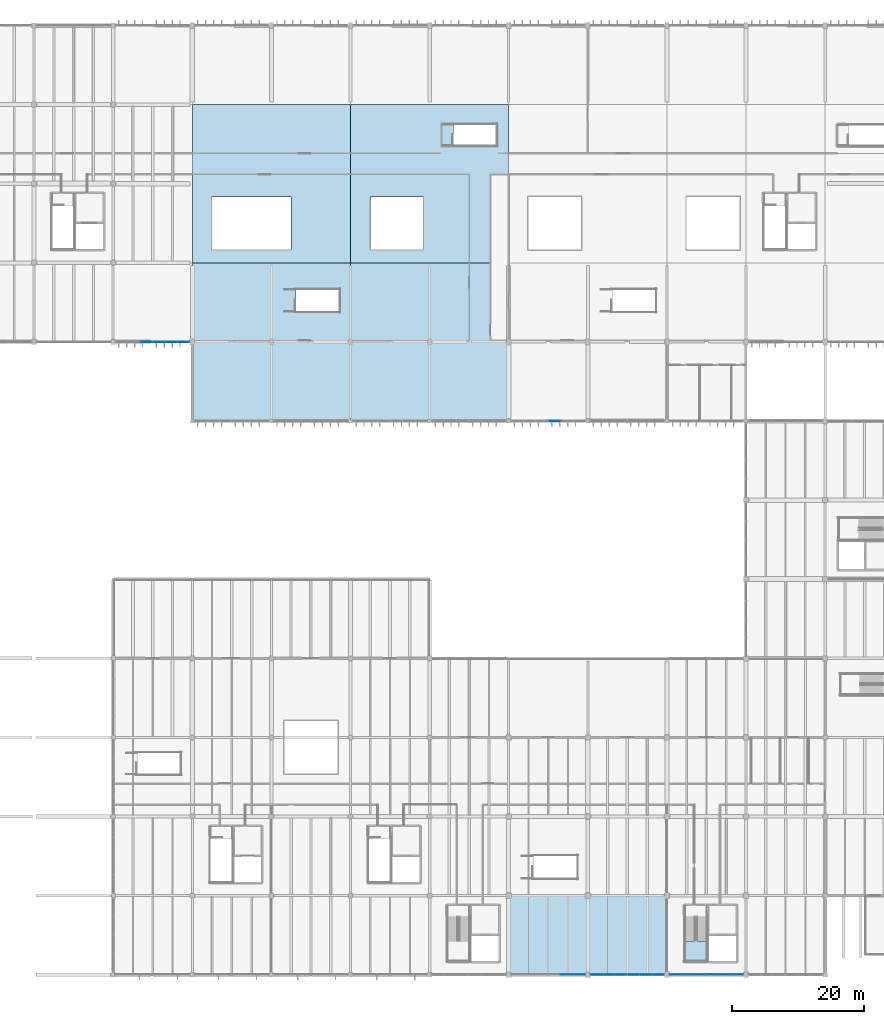
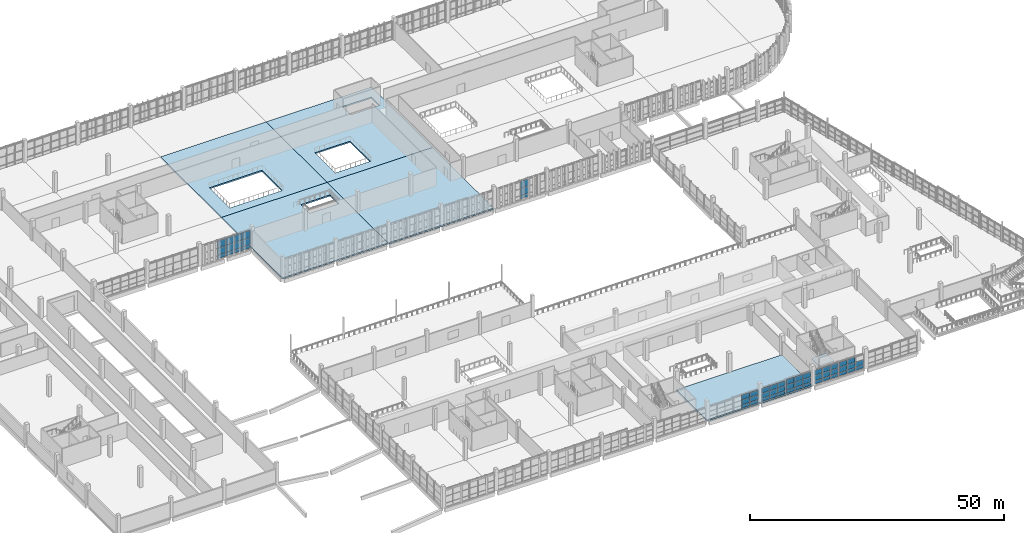
# One storey, part 63 of 112: 56 plates, 6 slabs, 9 elements without a shape of their own.
"""IFC4 building model written with IfcOpenShell, lengths in metres."""

from ifc_helpers import new_model, si_unit, direction, frame, origin, origin_2d, place, context, subcontext, project, spatial, polyline, rectangle, outline, extrude, material, layer, layer_set, type_object, element, aggregate, save


model = new_model("IFC4")

# Units and contexts
model_context = context("Model", 3, precision=1e-05, world=origin(), true_north=direction((0.0, 1.0)))
body_context = subcontext(model_context, "Body", "Model", "MODEL_VIEW")
ifc_project = project(units=[si_unit("LENGTHUNIT", "METRE"), si_unit("AREAUNIT", "SQUARE_METRE"), si_unit("VOLUMEUNIT", "CUBIC_METRE"), si_unit("PLANEANGLEUNIT", "RADIAN"), si_unit("MASSUNIT", "GRAM", prefix="KILO")], contexts=[model_context])

# Site, building, storey
site_placement = place(None, origin())
site = spatial("IfcSite", under=ifc_project, at=site_placement, CompositionType="ELEMENT")
building_placement = place(site_placement, origin())
building = spatial("IfcBuilding", under=site, at=building_placement, Name="Kamomehara Wholesale Market", CompositionType="ELEMENT")
storey_placement = place(building_placement, frame((0.0, 0.0, 6.60009765625)))
storey = spatial("IfcBuildingStorey", under=building, at=storey_placement, Name="L01", CompositionType="ELEMENT", Elevation=6.60009765625)

# Curtain wall, plates
ifc_material_1 = material(Name="Anodised aluminium 6063-T5", Category="aluminium")
curtain_wall_type_1 = type_object("IfcCurtainWallType", Name="CW-UN-02", PredefinedType="NOTDEFINED", material=ifc_material_1)
curtain_wall_1_placement = place(storey_placement, origin())
curtain_wall_1 = element("IfcCurtainWall", 1, at=curtain_wall_1_placement, inside=storey, type_object=curtain_wall_type_1, Name="Unitised curtain wall CW-059", PredefinedType="NOTDEFINED")
ifc_material_2 = material(Name="Solar-control Low-E double glazing", Category="glass")
ifc_layer_1 = layer(ifc_material_2, 0.028076171875)
ifc_layer_set_1 = layer_set([ifc_layer_1], Name="Solar-control Low-E double glazing")
plate_type_1 = type_object("IfcPlateType", Name="CW-PNL-GLZ", PredefinedType="CURTAIN_PANEL", material=ifc_layer_set_1)
plate_1_placement = place(storey_placement, frame((70.6220703125, 107.97998046875, 0.930419921875), z_axis=(0.0, 0.0, 1.0), x_axis=(-1.0, 0.0, 0.0)))
plate_1 = element("IfcPlate", 2, at=plate_1_placement, type_object=plate_type_1, Name="Curtain panel CW-059.0.1", PredefinedType="CURTAIN_PANEL", context=body_context, shape_type="SweptSolid", body=[
    extrude(rectangle(XDim=1.757080078125, YDim=0.028076171875, at=origin_2d()), origin(), (0.0, 0.0, 1.0), 1.705078125),
])
plate_2_placement = place(storey_placement, frame((70.6220703125, 107.97998046875, 2.6953125), z_axis=(0.0, 0.0, 1.0), x_axis=(-1.0, 0.0, 0.0)))
plate_2 = element("IfcPlate", 3, at=plate_2_placement, type_object=plate_type_1, Name="Curtain panel CW-059.0.2", PredefinedType="CURTAIN_PANEL", context=body_context, shape_type="SweptSolid", body=[
    extrude(rectangle(XDim=1.757080078125, YDim=0.028076171875, at=origin_2d()), origin(), (0.0, 0.0, 1.0), 1.6650390625),
])
plate_3_placement = place(storey_placement, frame((68.784912109375, 107.97998046875, 0.930419921875), z_axis=(0.0, 0.0, 1.0), x_axis=(-1.0, 0.0, 0.0)))
plate_3 = element("IfcPlate", 4, at=plate_3_placement, type_object=plate_type_1, Name="Curtain panel CW-059.1.1", PredefinedType="CURTAIN_PANEL", context=body_context, shape_type="SweptSolid", body=[
    extrude(rectangle(XDim=1.757080078125, YDim=0.028076171875, at=origin_2d()), origin(), (0.0, 0.0, 1.0), 1.705078125),
])
plate_4_placement = place(storey_placement, frame((68.784912109375, 107.97998046875, 2.6953125), z_axis=(0.0, 0.0, 1.0), x_axis=(-1.0, 0.0, 0.0)))
plate_4 = element("IfcPlate", 5, at=plate_4_placement, type_object=plate_type_1, Name="Curtain panel CW-059.1.2", PredefinedType="CURTAIN_PANEL", context=body_context, shape_type="SweptSolid", body=[
    extrude(rectangle(XDim=1.757080078125, YDim=0.028076171875, at=origin_2d()), origin(), (0.0, 0.0, 1.0), 1.6650390625),
])
plate_5_placement = place(storey_placement, frame((66.947998046875, 107.97998046875, 0.930419921875), z_axis=(0.0, 0.0, 1.0), x_axis=(-1.0, 0.0, 0.0)))
plate_5 = element("IfcPlate", 6, at=plate_5_placement, type_object=plate_type_1, Name="Curtain panel CW-059.2.1", PredefinedType="CURTAIN_PANEL", context=body_context, shape_type="SweptSolid", body=[
    extrude(rectangle(XDim=1.757080078125, YDim=0.028076171875, at=origin_2d()), origin(), (0.0, 0.0, 1.0), 1.705078125),
])
plate_6_placement = place(storey_placement, frame((66.947998046875, 107.97998046875, 2.6953125), z_axis=(0.0, 0.0, 1.0), x_axis=(-1.0, 0.0, 0.0)))
plate_6 = element("IfcPlate", 7, at=plate_6_placement, type_object=plate_type_1, Name="Curtain panel CW-059.2.2", PredefinedType="CURTAIN_PANEL", context=body_context, shape_type="SweptSolid", body=[
    extrude(rectangle(XDim=1.757080078125, YDim=0.028076171875, at=origin_2d()), origin(), (0.0, 0.0, 1.0), 1.6650390625),
])

curtain_wall_2_placement = place(storey_placement, origin())
curtain_wall_2 = element("IfcCurtainWall", 8, at=curtain_wall_2_placement, inside=storey, type_object=curtain_wall_type_1, Name="Unitised curtain wall CW-060", PredefinedType="NOTDEFINED")
plate_7_placement = place(storey_placement, frame((65.037109375, 107.97998046875, 0.930419921875), z_axis=(0.0, 0.0, 1.0), x_axis=(-1.0, 0.0, 0.0)))
plate_7 = element("IfcPlate", 9, at=plate_7_placement, type_object=plate_type_1, Name="Curtain panel CW-060.0.1", PredefinedType="CURTAIN_PANEL", context=body_context, shape_type="SweptSolid", body=[
    extrude(rectangle(XDim=1.787109375, YDim=0.028076171875, at=origin_2d()), origin(), (0.0, 0.0, 1.0), 1.705078125),
])
plate_8_placement = place(storey_placement, frame((65.037109375, 107.97998046875, 2.6953125), z_axis=(0.0, 0.0, 1.0), x_axis=(-1.0, 0.0, 0.0)))
plate_8 = element("IfcPlate", 10, at=plate_8_placement, type_object=plate_type_1, Name="Curtain panel CW-060.0.2", PredefinedType="CURTAIN_PANEL", context=body_context, shape_type="SweptSolid", body=[
    extrude(rectangle(XDim=1.787109375, YDim=0.028076171875, at=origin_2d()), origin(), (0.0, 0.0, 1.0), 1.6650390625),
])

curtain_wall_3_placement = place(storey_placement, origin())
curtain_wall_3 = element("IfcCurtainWall", 11, at=curtain_wall_3_placement, inside=storey, type_object=curtain_wall_type_1, Name="Unitised curtain wall CW-079", PredefinedType="NOTDEFINED")
plate_9_placement = place(storey_placement, frame((126.967041015625, 95.97998046875, 0.93017578125), z_axis=(0.0, 0.0, 1.0), x_axis=(-1.0, 0.0, 0.0)))
plate_9 = element("IfcPlate", 12, at=plate_9_placement, type_object=plate_type_1, Name="Curtain panel CW-079.2.1", PredefinedType="CURTAIN_PANEL", context=body_context, shape_type="SweptSolid", body=[
    extrude(rectangle(XDim=1.79296875, YDim=0.028076171875, at=origin_2d()), origin(), (0.0, 0.0, 1.0), 1.679931640625),
])
plate_10_placement = place(storey_placement, frame((126.967041015625, 95.97998046875, 2.669921875), z_axis=(0.0, 0.0, 1.0), x_axis=(-1.0, 0.0, 0.0)))
plate_10 = element("IfcPlate", 13, at=plate_10_placement, type_object=plate_type_1, Name="Curtain panel CW-079.2.2", PredefinedType="CURTAIN_PANEL", context=body_context, shape_type="SweptSolid", body=[
    extrude(rectangle(XDim=1.79296875, YDim=0.028076171875, at=origin_2d()), origin(), (0.0, 0.0, 1.0), 1.639892578125),
])

ifc_material_3 = material(Name="Anodised aluminium 6063-T5", Category="aluminium")
curtain_wall_type_2 = type_object("IfcCurtainWallType", Name="CW-UN-01", PredefinedType="NOTDEFINED", material=ifc_material_3)
curtain_wall_4_placement = place(storey_placement, origin())
curtain_wall_4 = element("IfcCurtainWall", 14, at=curtain_wall_4_placement, inside=storey, type_object=curtain_wall_type_2, Name="Unitised curtain wall CW-135", PredefinedType="NOTDEFINED")
plate_11_placement = place(storey_placement, frame((130.657958984375, 11.97998046875, 0.88037109375), z_axis=(0.0, 0.0, 1.0), x_axis=(-1.0, 0.0, 0.0)))
plate_11 = element("IfcPlate", 15, at=plate_11_placement, type_object=plate_type_1, Name="Curtain panel CW-135.0.1", PredefinedType="CURTAIN_PANEL", context=body_context, shape_type="SweptSolid", body=[
    extrude(rectangle(XDim=1.782958984375, YDim=0.028076171875, at=origin_2d()), origin(), (0.0, 0.0, 1.0), 1.14892578125),
])
plate_12_placement = place(storey_placement, frame((130.657958984375, 11.97998046875, 2.08935546875), z_axis=(0.0, 0.0, 1.0), x_axis=(-1.0, 0.0, 0.0)))
plate_12 = element("IfcPlate", 16, at=plate_12_placement, type_object=plate_type_1, Name="Curtain panel CW-135.0.2", PredefinedType="CURTAIN_PANEL", context=body_context, shape_type="SweptSolid", body=[
    extrude(rectangle(XDim=1.782958984375, YDim=0.028076171875, at=origin_2d()), origin(), (0.0, 0.0, 1.0), 1.10888671875),
])
plate_13_placement = place(storey_placement, frame((128.794921875, 11.97998046875, 0.88037109375), z_axis=(0.0, 0.0, 1.0), x_axis=(-1.0, 0.0, 0.0)))
plate_13 = element("IfcPlate", 17, at=plate_13_placement, type_object=plate_type_1, Name="Curtain panel CW-135.1.1", PredefinedType="CURTAIN_PANEL", context=body_context, shape_type="SweptSolid", body=[
    extrude(rectangle(XDim=1.782958984375, YDim=0.028076171875, at=origin_2d()), origin(), (0.0, 0.0, 1.0), 1.14892578125),
])
plate_14_placement = place(storey_placement, frame((128.794921875, 11.97998046875, 2.08935546875), z_axis=(0.0, 0.0, 1.0), x_axis=(-1.0, 0.0, 0.0)))
plate_14 = element("IfcPlate", 18, at=plate_14_placement, type_object=plate_type_1, Name="Curtain panel CW-135.1.2", PredefinedType="CURTAIN_PANEL", context=body_context, shape_type="SweptSolid", body=[
    extrude(rectangle(XDim=1.782958984375, YDim=0.028076171875, at=origin_2d()), origin(), (0.0, 0.0, 1.0), 1.10888671875),
])

curtain_wall_5_placement = place(storey_placement, origin())
curtain_wall_5 = element("IfcCurtainWall", 19, at=curtain_wall_5_placement, inside=storey, type_object=curtain_wall_type_2, Name="Unitised curtain wall CW-137", PredefinedType="NOTDEFINED")
plate_15_placement = place(storey_placement, frame((142.657958984375, 11.97998046875, 0.88037109375), z_axis=(0.0, 0.0, 1.0), x_axis=(-1.0, 0.0, 0.0)))
plate_15 = element("IfcPlate", 20, at=plate_15_placement, type_object=plate_type_1, Name="Curtain panel CW-137.0.1", PredefinedType="CURTAIN_PANEL", context=body_context, shape_type="SweptSolid", body=[
    extrude(rectangle(XDim=1.782958984375, YDim=0.028076171875, at=origin_2d()), origin(), (0.0, 0.0, 1.0), 1.239013671875),
])
plate_16_placement = place(storey_placement, frame((142.657958984375, 11.97998046875, 2.17822265625), z_axis=(0.0, 0.0, 1.0), x_axis=(-1.0, 0.0, 0.0)))
plate_16 = element("IfcPlate", 21, at=plate_16_placement, type_object=plate_type_1, Name="Curtain panel CW-137.0.2", PredefinedType="CURTAIN_PANEL", context=body_context, shape_type="SweptSolid", body=[
    extrude(rectangle(XDim=1.782958984375, YDim=0.028076171875, at=origin_2d()), origin(), (0.0, 0.0, 1.0), 1.198974609375),
])
plate_17_placement = place(storey_placement, frame((140.794921875, 11.97998046875, 0.88037109375), z_axis=(0.0, 0.0, 1.0), x_axis=(-1.0, 0.0, 0.0)))
plate_17 = element("IfcPlate", 22, at=plate_17_placement, type_object=plate_type_1, Name="Curtain panel CW-137.1.1", PredefinedType="CURTAIN_PANEL", context=body_context, shape_type="SweptSolid", body=[
    extrude(rectangle(XDim=1.782958984375, YDim=0.028076171875, at=origin_2d()), origin(), (0.0, 0.0, 1.0), 1.239013671875),
])
plate_18_placement = place(storey_placement, frame((140.794921875, 11.97998046875, 2.17822265625), z_axis=(0.0, 0.0, 1.0), x_axis=(-1.0, 0.0, 0.0)))
plate_18 = element("IfcPlate", 23, at=plate_18_placement, type_object=plate_type_1, Name="Curtain panel CW-137.1.2", PredefinedType="CURTAIN_PANEL", context=body_context, shape_type="SweptSolid", body=[
    extrude(rectangle(XDim=1.782958984375, YDim=0.028076171875, at=origin_2d()), origin(), (0.0, 0.0, 1.0), 1.198974609375),
])
plate_19_placement = place(storey_placement, frame((138.931884765625, 11.97998046875, 0.88037109375), z_axis=(0.0, 0.0, 1.0), x_axis=(-1.0, 0.0, 0.0)))
plate_19 = element("IfcPlate", 24, at=plate_19_placement, type_object=plate_type_1, Name="Curtain panel CW-137.2.1", PredefinedType="CURTAIN_PANEL", context=body_context, shape_type="SweptSolid", body=[
    extrude(rectangle(XDim=1.782958984375, YDim=0.028076171875, at=origin_2d()), origin(), (0.0, 0.0, 1.0), 1.239013671875),
])
plate_20_placement = place(storey_placement, frame((138.931884765625, 11.97998046875, 2.17822265625), z_axis=(0.0, 0.0, 1.0), x_axis=(-1.0, 0.0, 0.0)))
plate_20 = element("IfcPlate", 25, at=plate_20_placement, type_object=plate_type_1, Name="Curtain panel CW-137.2.2", PredefinedType="CURTAIN_PANEL", context=body_context, shape_type="SweptSolid", body=[
    extrude(rectangle(XDim=1.782958984375, YDim=0.028076171875, at=origin_2d()), origin(), (0.0, 0.0, 1.0), 1.198974609375),
])

curtain_wall_6_placement = place(storey_placement, origin())
curtain_wall_6 = element("IfcCurtainWall", 26, at=curtain_wall_6_placement, inside=storey, type_object=curtain_wall_type_2, Name="Unitised curtain wall CW-138", PredefinedType="NOTDEFINED")
plate_21_placement = place(storey_placement, frame((136.902099609375, 11.97998046875, 0.88037109375), z_axis=(0.0, 0.0, 1.0), x_axis=(-1.0, 0.0, 0.0)))
plate_21 = element("IfcPlate", 27, at=plate_21_placement, type_object=plate_type_1, Name="Curtain panel CW-138.0.1", PredefinedType="CURTAIN_PANEL", context=body_context, shape_type="SweptSolid", body=[
    extrude(rectangle(XDim=1.717041015625, YDim=0.028076171875, at=origin_2d()), origin(), (0.0, 0.0, 1.0), 1.14892578125),
])
plate_22_placement = place(storey_placement, frame((136.902099609375, 11.97998046875, 2.08935546875), z_axis=(0.0, 0.0, 1.0), x_axis=(-1.0, 0.0, 0.0)))
plate_22 = element("IfcPlate", 28, at=plate_22_placement, type_object=plate_type_1, Name="Curtain panel CW-138.0.2", PredefinedType="CURTAIN_PANEL", context=body_context, shape_type="SweptSolid", body=[
    extrude(rectangle(XDim=1.717041015625, YDim=0.028076171875, at=origin_2d()), origin(), (0.0, 0.0, 1.0), 1.10888671875),
])
plate_23_placement = place(storey_placement, frame((135.10498046875, 11.97998046875, 0.88037109375), z_axis=(0.0, 0.0, 1.0), x_axis=(-1.0, 0.0, 0.0)))
plate_23 = element("IfcPlate", 29, at=plate_23_placement, type_object=plate_type_1, Name="Curtain panel CW-138.1.1", PredefinedType="CURTAIN_PANEL", context=body_context, shape_type="SweptSolid", body=[
    extrude(rectangle(XDim=1.717041015625, YDim=0.028076171875, at=origin_2d()), origin(), (0.0, 0.0, 1.0), 1.14892578125),
])
plate_24_placement = place(storey_placement, frame((135.10498046875, 11.97998046875, 2.08935546875), z_axis=(0.0, 0.0, 1.0), x_axis=(-1.0, 0.0, 0.0)))
plate_24 = element("IfcPlate", 30, at=plate_24_placement, type_object=plate_type_1, Name="Curtain panel CW-138.1.2", PredefinedType="CURTAIN_PANEL", context=body_context, shape_type="SweptSolid", body=[
    extrude(rectangle(XDim=1.717041015625, YDim=0.028076171875, at=origin_2d()), origin(), (0.0, 0.0, 1.0), 1.10888671875),
])
plate_25_placement = place(storey_placement, frame((133.30810546875, 11.97998046875, 0.88037109375), z_axis=(0.0, 0.0, 1.0), x_axis=(-1.0, 0.0, 0.0)))
plate_25 = element("IfcPlate", 31, at=plate_25_placement, type_object=plate_type_1, Name="Curtain panel CW-138.2.1", PredefinedType="CURTAIN_PANEL", context=body_context, shape_type="SweptSolid", body=[
    extrude(rectangle(XDim=1.717041015625, YDim=0.028076171875, at=origin_2d()), origin(), (0.0, 0.0, 1.0), 1.14892578125),
])
plate_26_placement = place(storey_placement, frame((133.30810546875, 11.97998046875, 2.08935546875), z_axis=(0.0, 0.0, 1.0), x_axis=(-1.0, 0.0, 0.0)))
plate_26 = element("IfcPlate", 32, at=plate_26_placement, type_object=plate_type_1, Name="Curtain panel CW-138.2.2", PredefinedType="CURTAIN_PANEL", context=body_context, shape_type="SweptSolid", body=[
    extrude(rectangle(XDim=1.717041015625, YDim=0.028076171875, at=origin_2d()), origin(), (0.0, 0.0, 1.0), 1.10888671875),
])

curtain_wall_7_placement = place(storey_placement, origin())
curtain_wall_7 = element("IfcCurtainWall", 33, at=curtain_wall_7_placement, inside=storey, type_object=curtain_wall_type_2, Name="Unitised curtain wall CW-139", PredefinedType="NOTDEFINED")
plate_27_placement = place(storey_placement, frame((154.657958984375, 11.97998046875, 0.8798828125), z_axis=(0.0, 0.0, 1.0), x_axis=(-1.0, 0.0, 0.0)))
plate_27 = element("IfcPlate", 34, at=plate_27_placement, type_object=plate_type_1, Name="Curtain panel CW-139.0.1", PredefinedType="CURTAIN_PANEL", context=body_context, shape_type="SweptSolid", body=[
    extrude(rectangle(XDim=1.782958984375, YDim=0.028076171875, at=origin_2d()), origin(), (0.0, 0.0, 1.0), 1.23193359375),
])
plate_28_placement = place(storey_placement, frame((152.794921875, 11.97998046875, 0.8798828125), z_axis=(0.0, 0.0, 1.0), x_axis=(-1.0, 0.0, 0.0)))
plate_28 = element("IfcPlate", 35, at=plate_28_placement, type_object=plate_type_1, Name="Curtain panel CW-139.1.1", PredefinedType="CURTAIN_PANEL", context=body_context, shape_type="SweptSolid", body=[
    extrude(rectangle(XDim=1.782958984375, YDim=0.028076171875, at=origin_2d()), origin(), (0.0, 0.0, 1.0), 1.23193359375),
])
plate_29_placement = place(storey_placement, frame((152.794921875, 11.97998046875, 2.17138671875), z_axis=(0.0, 0.0, 1.0), x_axis=(-1.0, 0.0, 0.0)))
plate_29 = element("IfcPlate", 36, at=plate_29_placement, type_object=plate_type_1, Name="Curtain panel CW-139.1.2", PredefinedType="CURTAIN_PANEL", context=body_context, shape_type="SweptSolid", body=[
    extrude(rectangle(XDim=1.782958984375, YDim=0.028076171875, at=origin_2d()), origin(), (0.0, 0.0, 1.0), 1.19091796875),
])
plate_30_placement = place(storey_placement, frame((150.931884765625, 11.97998046875, 0.8798828125), z_axis=(0.0, 0.0, 1.0), x_axis=(-1.0, 0.0, 0.0)))
plate_30 = element("IfcPlate", 37, at=plate_30_placement, type_object=plate_type_1, Name="Curtain panel CW-139.2.1", PredefinedType="CURTAIN_PANEL", context=body_context, shape_type="SweptSolid", body=[
    extrude(rectangle(XDim=1.782958984375, YDim=0.028076171875, at=origin_2d()), origin(), (0.0, 0.0, 1.0), 1.23193359375),
])
plate_31_placement = place(storey_placement, frame((150.931884765625, 11.97998046875, 2.17138671875), z_axis=(0.0, 0.0, 1.0), x_axis=(-1.0, 0.0, 0.0)))
plate_31 = element("IfcPlate", 38, at=plate_31_placement, type_object=plate_type_1, Name="Curtain panel CW-139.2.2", PredefinedType="CURTAIN_PANEL", context=body_context, shape_type="SweptSolid", body=[
    extrude(rectangle(XDim=1.782958984375, YDim=0.028076171875, at=origin_2d()), origin(), (0.0, 0.0, 1.0), 1.19091796875),
])

curtain_wall_8_placement = place(storey_placement, origin())
curtain_wall_8 = element("IfcCurtainWall", 39, at=curtain_wall_8_placement, inside=storey, type_object=curtain_wall_type_2, Name="Unitised curtain wall CW-140", PredefinedType="NOTDEFINED")
plate_32_placement = place(storey_placement, frame((148.902099609375, 11.97998046875, 0.88037109375), z_axis=(0.0, 0.0, 1.0), x_axis=(-1.0, 0.0, 0.0)))
plate_32 = element("IfcPlate", 40, at=plate_32_placement, type_object=plate_type_1, Name="Curtain panel CW-140.0.1", PredefinedType="CURTAIN_PANEL", context=body_context, shape_type="SweptSolid", body=[
    extrude(rectangle(XDim=1.717041015625, YDim=0.028076171875, at=origin_2d()), origin(), (0.0, 0.0, 1.0), 1.239013671875),
])
plate_33_placement = place(storey_placement, frame((148.902099609375, 11.97998046875, 2.17822265625), z_axis=(0.0, 0.0, 1.0), x_axis=(-1.0, 0.0, 0.0)))
plate_33 = element("IfcPlate", 41, at=plate_33_placement, type_object=plate_type_1, Name="Curtain panel CW-140.0.2", PredefinedType="CURTAIN_PANEL", context=body_context, shape_type="SweptSolid", body=[
    extrude(rectangle(XDim=1.717041015625, YDim=0.028076171875, at=origin_2d()), origin(), (0.0, 0.0, 1.0), 1.198974609375),
])
plate_34_placement = place(storey_placement, frame((147.10498046875, 11.97998046875, 0.88037109375), z_axis=(0.0, 0.0, 1.0), x_axis=(-1.0, 0.0, 0.0)))
plate_34 = element("IfcPlate", 42, at=plate_34_placement, type_object=plate_type_1, Name="Curtain panel CW-140.1.1", PredefinedType="CURTAIN_PANEL", context=body_context, shape_type="SweptSolid", body=[
    extrude(rectangle(XDim=1.717041015625, YDim=0.028076171875, at=origin_2d()), origin(), (0.0, 0.0, 1.0), 1.239013671875),
])
plate_35_placement = place(storey_placement, frame((147.10498046875, 11.97998046875, 2.17822265625), z_axis=(0.0, 0.0, 1.0), x_axis=(-1.0, 0.0, 0.0)))
plate_35 = element("IfcPlate", 43, at=plate_35_placement, type_object=plate_type_1, Name="Curtain panel CW-140.1.2", PredefinedType="CURTAIN_PANEL", context=body_context, shape_type="SweptSolid", body=[
    extrude(rectangle(XDim=1.717041015625, YDim=0.028076171875, at=origin_2d()), origin(), (0.0, 0.0, 1.0), 1.198974609375),
])
plate_36_placement = place(storey_placement, frame((145.30810546875, 11.97998046875, 0.88037109375), z_axis=(0.0, 0.0, 1.0), x_axis=(-1.0, 0.0, 0.0)))
plate_36 = element("IfcPlate", 44, at=plate_36_placement, type_object=plate_type_1, Name="Curtain panel CW-140.2.1", PredefinedType="CURTAIN_PANEL", context=body_context, shape_type="SweptSolid", body=[
    extrude(rectangle(XDim=1.717041015625, YDim=0.028076171875, at=origin_2d()), origin(), (0.0, 0.0, 1.0), 1.239013671875),
])
plate_37_placement = place(storey_placement, frame((145.30810546875, 11.97998046875, 2.17822265625), z_axis=(0.0, 0.0, 1.0), x_axis=(-1.0, 0.0, 0.0)))
plate_37 = element("IfcPlate", 45, at=plate_37_placement, type_object=plate_type_1, Name="Curtain panel CW-140.2.2", PredefinedType="CURTAIN_PANEL", context=body_context, shape_type="SweptSolid", body=[
    extrude(rectangle(XDim=1.717041015625, YDim=0.028076171875, at=origin_2d()), origin(), (0.0, 0.0, 1.0), 1.198974609375),
])

# Plate
ifc_material_4 = material(Name="Insulated aluminium spandrel panel", Category="aluminium")
ifc_layer_2 = layer(ifc_material_4, 0.0400390625)
ifc_layer_set_2 = layer_set([ifc_layer_2], Name="Insulated aluminium spandrel panel")
plate_type_2 = type_object("IfcPlateType", Name="CW-PNL-SPN", PredefinedType="CURTAIN_PANEL", material=ifc_layer_set_2)
plate_38_placement = place(storey_placement, frame((70.6220703125, 107.97998046875, 0.06982421875), z_axis=(0.0, 0.0, 1.0), x_axis=(-1.0, 0.0, 0.0)))
plate_38 = element("IfcPlate", 46, at=plate_38_placement, type_object=plate_type_2, Name="Curtain panel CW-059.0.0", PredefinedType="CURTAIN_PANEL", context=body_context, shape_type="SweptSolid", body=[
    extrude(rectangle(XDim=1.757080078125, YDim=0.0400390625, at=origin_2d()), origin(), (0.0, 0.0, 1.0), 0.800048828125),
])

plate_39_placement = place(storey_placement, frame((68.784912109375, 107.97998046875, 0.06982421875), z_axis=(0.0, 0.0, 1.0), x_axis=(-1.0, 0.0, 0.0)))
plate_39 = element("IfcPlate", 47, at=plate_39_placement, type_object=plate_type_2, Name="Curtain panel CW-059.1.0", PredefinedType="CURTAIN_PANEL", context=body_context, shape_type="SweptSolid", body=[
    extrude(rectangle(XDim=1.757080078125, YDim=0.0400390625, at=origin_2d()), origin(), (0.0, 0.0, 1.0), 0.800048828125),
])

plate_40_placement = place(storey_placement, frame((66.947998046875, 107.97998046875, 0.06982421875), z_axis=(0.0, 0.0, 1.0), x_axis=(-1.0, 0.0, 0.0)))
plate_40 = element("IfcPlate", 48, at=plate_40_placement, type_object=plate_type_2, Name="Curtain panel CW-059.2.0", PredefinedType="CURTAIN_PANEL", context=body_context, shape_type="SweptSolid", body=[
    extrude(rectangle(XDim=1.757080078125, YDim=0.0400390625, at=origin_2d()), origin(), (0.0, 0.0, 1.0), 0.800048828125),
])

aggregate(curtain_wall_1, [plate_38, plate_1, plate_2, plate_39, plate_3, plate_4, plate_40, plate_5, plate_6])

plate_41_placement = place(storey_placement, frame((65.037109375, 107.97998046875, 0.06982421875), z_axis=(0.0, 0.0, 1.0), x_axis=(-1.0, 0.0, 0.0)))
plate_41 = element("IfcPlate", 49, at=plate_41_placement, type_object=plate_type_2, Name="Curtain panel CW-060.0.0", PredefinedType="CURTAIN_PANEL", context=body_context, shape_type="SweptSolid", body=[
    extrude(rectangle(XDim=1.787109375, YDim=0.0400390625, at=origin_2d()), origin(), (0.0, 0.0, 1.0), 0.800048828125),
])

aggregate(curtain_wall_2, [plate_41, plate_7, plate_8])

plate_42_placement = place(storey_placement, frame((126.967041015625, 95.97998046875, 0.06982421875), z_axis=(0.0, 0.0, 1.0), x_axis=(-1.0, 0.0, 0.0)))
plate_42 = element("IfcPlate", 50, at=plate_42_placement, type_object=plate_type_2, Name="Curtain panel CW-079.2.0", PredefinedType="CURTAIN_PANEL", context=body_context, shape_type="SweptSolid", body=[
    extrude(rectangle(XDim=1.79296875, YDim=0.0400390625, at=origin_2d()), origin(), (0.0, 0.0, 1.0), 0.800048828125),
])

aggregate(curtain_wall_3, [plate_42, plate_9, plate_10])

plate_43_placement = place(storey_placement, frame((130.657958984375, 11.97998046875, 0.06982421875), z_axis=(0.0, 0.0, 1.0), x_axis=(-1.0, 0.0, 0.0)))
plate_43 = element("IfcPlate", 51, at=plate_43_placement, type_object=plate_type_2, Name="Curtain panel CW-135.0.0", PredefinedType="CURTAIN_PANEL", context=body_context, shape_type="SweptSolid", body=[
    extrude(rectangle(XDim=1.782958984375, YDim=0.0400390625, at=origin_2d()), origin(), (0.0, 0.0, 1.0), 0.75),
])

plate_44_placement = place(storey_placement, frame((128.794921875, 11.97998046875, 0.06982421875), z_axis=(0.0, 0.0, 1.0), x_axis=(-1.0, 0.0, 0.0)))
plate_44 = element("IfcPlate", 52, at=plate_44_placement, type_object=plate_type_2, Name="Curtain panel CW-135.1.0", PredefinedType="CURTAIN_PANEL", context=body_context, shape_type="SweptSolid", body=[
    extrude(rectangle(XDim=1.782958984375, YDim=0.0400390625, at=origin_2d()), origin(), (0.0, 0.0, 1.0), 0.75),
])

aggregate(curtain_wall_4, [plate_43, plate_11, plate_12, plate_44, plate_13, plate_14])

plate_45_placement = place(storey_placement, frame((142.657958984375, 11.97998046875, 0.06982421875), z_axis=(0.0, 0.0, 1.0), x_axis=(-1.0, 0.0, 0.0)))
plate_45 = element("IfcPlate", 53, at=plate_45_placement, type_object=plate_type_2, Name="Curtain panel CW-137.0.0", PredefinedType="CURTAIN_PANEL", context=body_context, shape_type="SweptSolid", body=[
    extrude(rectangle(XDim=1.782958984375, YDim=0.0400390625, at=origin_2d()), origin(), (0.0, 0.0, 1.0), 0.75),
])

plate_46_placement = place(storey_placement, frame((140.794921875, 11.97998046875, 0.06982421875), z_axis=(0.0, 0.0, 1.0), x_axis=(-1.0, 0.0, 0.0)))
plate_46 = element("IfcPlate", 54, at=plate_46_placement, type_object=plate_type_2, Name="Curtain panel CW-137.1.0", PredefinedType="CURTAIN_PANEL", context=body_context, shape_type="SweptSolid", body=[
    extrude(rectangle(XDim=1.782958984375, YDim=0.0400390625, at=origin_2d()), origin(), (0.0, 0.0, 1.0), 0.75),
])

plate_47_placement = place(storey_placement, frame((138.931884765625, 11.97998046875, 0.06982421875), z_axis=(0.0, 0.0, 1.0), x_axis=(-1.0, 0.0, 0.0)))
plate_47 = element("IfcPlate", 55, at=plate_47_placement, type_object=plate_type_2, Name="Curtain panel CW-137.2.0", PredefinedType="CURTAIN_PANEL", context=body_context, shape_type="SweptSolid", body=[
    extrude(rectangle(XDim=1.782958984375, YDim=0.0400390625, at=origin_2d()), origin(), (0.0, 0.0, 1.0), 0.75),
])

aggregate(curtain_wall_5, [plate_45, plate_15, plate_16, plate_46, plate_17, plate_18, plate_47, plate_19, plate_20])

plate_48_placement = place(storey_placement, frame((136.902099609375, 11.97998046875, 0.06982421875), z_axis=(0.0, 0.0, 1.0), x_axis=(-1.0, 0.0, 0.0)))
plate_48 = element("IfcPlate", 56, at=plate_48_placement, type_object=plate_type_2, Name="Curtain panel CW-138.0.0", PredefinedType="CURTAIN_PANEL", context=body_context, shape_type="SweptSolid", body=[
    extrude(rectangle(XDim=1.717041015625, YDim=0.0400390625, at=origin_2d()), origin(), (0.0, 0.0, 1.0), 0.75),
])

plate_49_placement = place(storey_placement, frame((135.10498046875, 11.97998046875, 0.06982421875), z_axis=(0.0, 0.0, 1.0), x_axis=(-1.0, 0.0, 0.0)))
plate_49 = element("IfcPlate", 57, at=plate_49_placement, type_object=plate_type_2, Name="Curtain panel CW-138.1.0", PredefinedType="CURTAIN_PANEL", context=body_context, shape_type="SweptSolid", body=[
    extrude(rectangle(XDim=1.717041015625, YDim=0.0400390625, at=origin_2d()), origin(), (0.0, 0.0, 1.0), 0.75),
])

plate_50_placement = place(storey_placement, frame((133.30810546875, 11.97998046875, 0.06982421875), z_axis=(0.0, 0.0, 1.0), x_axis=(-1.0, 0.0, 0.0)))
plate_50 = element("IfcPlate", 58, at=plate_50_placement, type_object=plate_type_2, Name="Curtain panel CW-138.2.0", PredefinedType="CURTAIN_PANEL", context=body_context, shape_type="SweptSolid", body=[
    extrude(rectangle(XDim=1.717041015625, YDim=0.0400390625, at=origin_2d()), origin(), (0.0, 0.0, 1.0), 0.75),
])

aggregate(curtain_wall_6, [plate_48, plate_21, plate_22, plate_49, plate_23, plate_24, plate_50, plate_25, plate_26])

plate_51_placement = place(storey_placement, frame((154.657958984375, 11.97998046875, 0.06982421875), z_axis=(0.0, 0.0, 1.0), x_axis=(-1.0, 0.0, 0.0)))
plate_51 = element("IfcPlate", 59, at=plate_51_placement, type_object=plate_type_2, Name="Curtain panel CW-139.0.0", PredefinedType="CURTAIN_PANEL", context=body_context, shape_type="SweptSolid", body=[
    extrude(rectangle(XDim=1.782958984375, YDim=0.0400390625, at=origin_2d()), origin(), (0.0, 0.0, 1.0), 0.75),
])

plate_52_placement = place(storey_placement, frame((152.794921875, 11.97998046875, 0.06982421875), z_axis=(0.0, 0.0, 1.0), x_axis=(-1.0, 0.0, 0.0)))
plate_52 = element("IfcPlate", 60, at=plate_52_placement, type_object=plate_type_2, Name="Curtain panel CW-139.1.0", PredefinedType="CURTAIN_PANEL", context=body_context, shape_type="SweptSolid", body=[
    extrude(rectangle(XDim=1.782958984375, YDim=0.0400390625, at=origin_2d()), origin(), (0.0, 0.0, 1.0), 0.75),
])

plate_53_placement = place(storey_placement, frame((150.931884765625, 11.97998046875, 0.06982421875), z_axis=(0.0, 0.0, 1.0), x_axis=(-1.0, 0.0, 0.0)))
plate_53 = element("IfcPlate", 61, at=plate_53_placement, type_object=plate_type_2, Name="Curtain panel CW-139.2.0", PredefinedType="CURTAIN_PANEL", context=body_context, shape_type="SweptSolid", body=[
    extrude(rectangle(XDim=1.782958984375, YDim=0.0400390625, at=origin_2d()), origin(), (0.0, 0.0, 1.0), 0.75),
])

aggregate(curtain_wall_7, [plate_51, plate_27, plate_52, plate_28, plate_29, plate_53, plate_30, plate_31])

plate_54_placement = place(storey_placement, frame((148.902099609375, 11.97998046875, 0.06982421875), z_axis=(0.0, 0.0, 1.0), x_axis=(-1.0, 0.0, 0.0)))
plate_54 = element("IfcPlate", 62, at=plate_54_placement, type_object=plate_type_2, Name="Curtain panel CW-140.0.0", PredefinedType="CURTAIN_PANEL", context=body_context, shape_type="SweptSolid", body=[
    extrude(rectangle(XDim=1.717041015625, YDim=0.0400390625, at=origin_2d()), origin(), (0.0, 0.0, 1.0), 0.75),
])

plate_55_placement = place(storey_placement, frame((147.10498046875, 11.97998046875, 0.06982421875), z_axis=(0.0, 0.0, 1.0), x_axis=(-1.0, 0.0, 0.0)))
plate_55 = element("IfcPlate", 63, at=plate_55_placement, type_object=plate_type_2, Name="Curtain panel CW-140.1.0", PredefinedType="CURTAIN_PANEL", context=body_context, shape_type="SweptSolid", body=[
    extrude(rectangle(XDim=1.717041015625, YDim=0.0400390625, at=origin_2d()), origin(), (0.0, 0.0, 1.0), 0.75),
])

plate_56_placement = place(storey_placement, frame((145.30810546875, 11.97998046875, 0.06982421875), z_axis=(0.0, 0.0, 1.0), x_axis=(-1.0, 0.0, 0.0)))
plate_56 = element("IfcPlate", 64, at=plate_56_placement, type_object=plate_type_2, Name="Curtain panel CW-140.2.0", PredefinedType="CURTAIN_PANEL", context=body_context, shape_type="SweptSolid", body=[
    extrude(rectangle(XDim=1.717041015625, YDim=0.0400390625, at=origin_2d()), origin(), (0.0, 0.0, 1.0), 0.75),
])

aggregate(curtain_wall_8, [plate_54, plate_32, plate_33, plate_55, plate_34, plate_35, plate_56, plate_36, plate_37])

# Slabs
ifc_material_5 = material(Name="Concrete Fc36 (C35/45)", Category="concrete")
ifc_layer_3 = layer(ifc_material_5, 0.31005859375)
ifc_layer_set_3 = layer_set([ifc_layer_3], Name="Concrete Fc36 (C35/45)")
slab_type_1 = type_object("IfcSlabType", Name="SLB-FLR-220", PredefinedType="FLOOR", material=ifc_layer_set_3)
slab_1_placement = place(storey_placement, frame((0.0, 0.0, -0.31005859375)))
element("IfcSlab", 65, at=slab_1_placement, inside=storey, type_object=slab_type_1, Name="Floor slab V1 L01 70", PredefinedType="FLOOR", context=body_context, shape_type="SweptSolid", body=[
    extrude(outline(polyline([(96.0, 120.0), (96.0, 96.0), (72.0, 96.0), (72.0, 120.0), (96.0, 120.0)]), holes=[polyline([(94.340087890625, 112.550048828125), (94.340087890625, 115.989990234375), (87.739990234375, 115.989990234375), (87.739990234375, 112.550048828125), (94.340087890625, 112.550048828125)])]), origin(), (0.0, 0.0, 1.0), 0.31005859375),
])
ifc_material_6 = material(Name="Concrete Fc36 (C35/45)", Category="concrete")
ifc_layer_4 = layer(ifc_material_6, 0.320068359375)
ifc_layer_set_4 = layer_set([ifc_layer_4], Name="Concrete Fc36 (C35/45)")
slab_type_2 = type_object("IfcSlabType", Name="SLB-FLR-240", PredefinedType="FLOOR", material=ifc_layer_set_4)
slab_2_placement = place(storey_placement, frame((0.0, 0.0, -0.320068359375)))
element("IfcSlab", 66, at=slab_2_placement, inside=storey, type_object=slab_type_2, Name="Floor slab V1 L01 74", PredefinedType="FLOOR", context=body_context, shape_type="SweptSolid", body=[
    extrude(outline(polyline([(96.0, 120.0), (96.0, 144.0), (120.0, 144.0), (120.0, 120.0), (96.0, 120.0)]), holes=[polyline([(118.159912109375, 137.75), (118.159912109375, 141.010009765625), (111.64990234375, 141.010009765625), (111.64990234375, 137.75), (118.159912109375, 137.75)]), polyline([(107.0, 122.0), (107.0, 130.0), (99.0, 130.0), (99.0, 122.0), (107.0, 122.0)])]), origin(), (0.0, 0.0, 1.0), 0.320068359375),
])
ifc_material_7 = material(Name="Concrete Fc36 (C35/45)", Category="concrete")
ifc_layer_5 = layer(ifc_material_7, 0.340087890625)
ifc_layer_set_5 = layer_set([ifc_layer_5], Name="Concrete Fc36 (C35/45)")
slab_type_3 = type_object("IfcSlabType", Name="SLB-FLR-280", PredefinedType="FLOOR", material=ifc_layer_set_5)
slab_3_placement = place(storey_placement, frame((0.0, 0.0, -0.340087890625)))
element("IfcSlab", 67, at=slab_3_placement, inside=storey, type_object=slab_type_3, Name="Floor slab V1 L01 71", PredefinedType="FLOOR", context=body_context, shape_type="SweptSolid", body=[
    extrude(outline(polyline([(96.0, 144.0), (96.0, 120.0), (72.0, 120.0), (72.0, 144.0), (96.0, 144.0)]), holes=[polyline([(87.0, 122.0), (87.0, 130.0), (75.0, 130.0), (75.0, 122.0), (87.0, 122.0)])]), origin(), (0.0, 0.0, 1.0), 0.340087890625),
])
ifc_material_8 = material(Name="Concrete Fc36 (C35/45)", Category="concrete")
ifc_layer_6 = layer(ifc_material_8, 0.35009765625)
ifc_layer_set_6 = layer_set([ifc_layer_6], Name="Concrete Fc36 (C35/45)")
slab_type_4 = type_object("IfcSlabType", Name="SLB-FLR-300", PredefinedType="FLOOR", material=ifc_layer_set_6)
slab_4_placement = place(storey_placement, frame((0.0, 0.0, -0.35009765625)))
element("IfcSlab", 68, at=slab_4_placement, inside=storey, type_object=slab_type_4, Name="Floor slab V1 L01 73", PredefinedType="FLOOR", context=body_context, shape_type="SweptSolid", body=[
    extrude(outline(polyline([(96.0, 120.0), (120.0, 120.0), (120.0, 96.0), (96.0, 96.0), (96.0, 120.0)])), origin(), (0.0, 0.0, 1.0), 0.35009765625),
])
slab_5_placement = place(storey_placement, frame((0.0, 0.0, -0.35009765625)))
element("IfcSlab", 69, at=slab_5_placement, inside=storey, type_object=slab_type_4, Name="Floor slab V5 L01 103", PredefinedType="FLOOR", context=body_context, shape_type="SweptSolid", body=[
    extrude(outline(polyline([(120.0, 24.0), (144.0, 24.0), (144.0, 12.0), (120.0, 12.0), (120.0, 24.0)])), origin(), (0.0, 0.0, 1.0), 0.35009765625),
])

# Stair, slab
ifc_material_9 = material(Name="Concrete Fc36 (C35/45)", Category="concrete")
stair_type = type_object("IfcStairType", Name="STR-DL-02", PredefinedType="HALF_TURN_STAIR", material=ifc_material_9)
stair_placement = place(storey_placement, origin())
stair = element("IfcStair", 70, at=stair_placement, inside=storey, type_object=stair_type, Name="L01 Core exit stair ST-08", PredefinedType="HALF_TURN_STAIR")
ifc_material_10 = material(Name="Concrete Fc36 (C35/45)", Category="concrete")
ifc_layer_7 = layer(ifc_material_10, 0.199951171875)
ifc_layer_set_7 = layer_set([ifc_layer_7], Name="Concrete Fc36 (C35/45)")
slab_type_5 = type_object("IfcSlabType", Name="SLB-LND-200", PredefinedType="LANDING", material=ifc_layer_set_7)
slab_6_placement = place(storey_placement, frame((0.0, 0.0, 2.199951171875)))
slab_6 = element("IfcSlab", 71, at=slab_6_placement, type_object=slab_type_5, Name="ST-08 landing 1", PredefinedType="LANDING", context=body_context, shape_type="SweptSolid", body=[
    extrude(outline(polyline([(146.699951171875, 17.14990234375), (146.699951171875, 14.050048828125), (150.10009765625, 14.050048828125), (150.10009765625, 17.14990234375), (146.699951171875, 17.14990234375)])), origin(), (0.0, 0.0, 1.0), 0.199951171875),
])
aggregate(stair, [slab_6])

save(model, "model.ifc")
